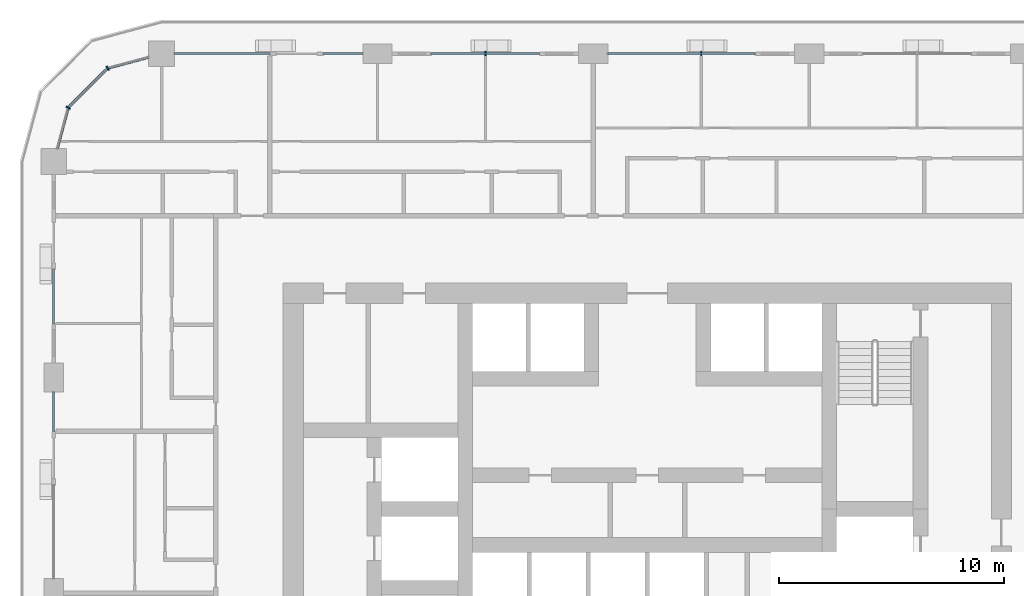
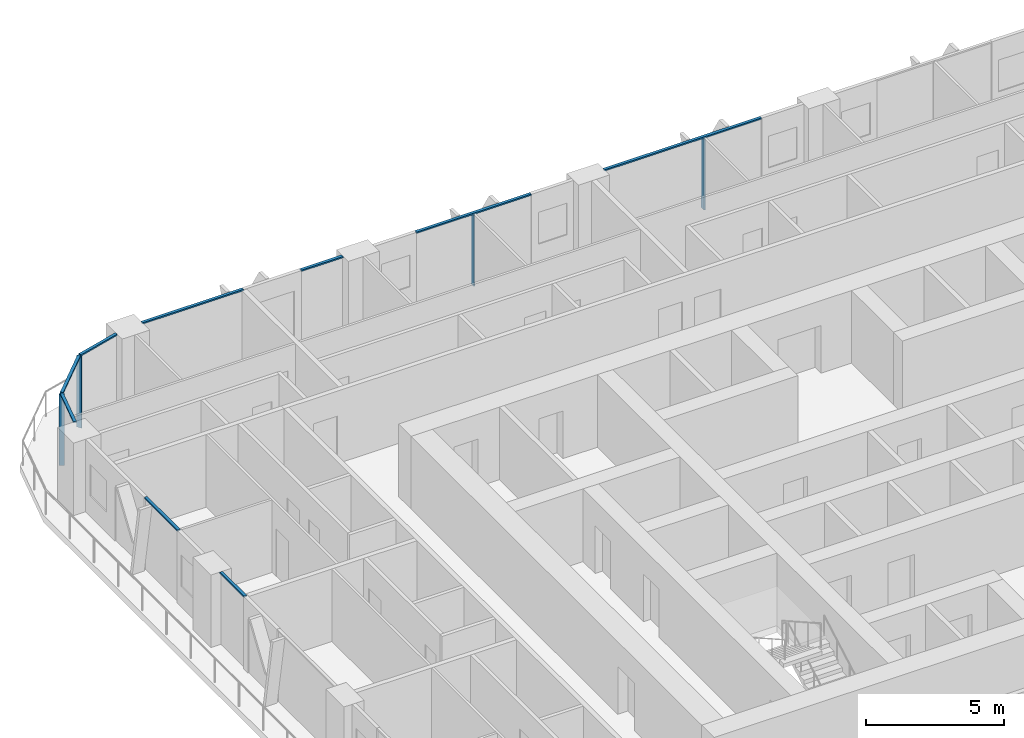
# One storey, part 5 of 22: 13 members, 6 elements without a shape of their own.
"""IFC4 building model written with IfcOpenShell, lengths in metres."""

from ifc_helpers import new_model, si_unit, direction, frame, origin, origin_2d, place, context, subcontext, project, spatial, rectangle, extrude, material, layer, layer_set, material_profile, profile_set, type_object, element, aggregate, save


model = new_model("IFC4")

# Units and contexts
model_context = context("Model", 3, precision=1e-05, world=origin(), true_north=direction((0.0, 1.0)))
body_context = subcontext(model_context, "Body", "Model", "MODEL_VIEW")
ifc_project = project(units=[si_unit("LENGTHUNIT", "METRE"), si_unit("AREAUNIT", "SQUARE_METRE"), si_unit("VOLUMEUNIT", "CUBIC_METRE"), si_unit("PLANEANGLEUNIT", "RADIAN"), si_unit("MASSUNIT", "GRAM", prefix="KILO")], contexts=[model_context])

# Site, building, storey
site_placement = place(None, origin())
site = spatial("IfcSite", under=ifc_project, at=site_placement, CompositionType="ELEMENT")
building_placement = place(site_placement, origin())
building = spatial("IfcBuilding", under=site, at=building_placement, Name="Madar Terraces", CompositionType="ELEMENT")
storey_placement = place(building_placement, frame((0.0, 0.0, 66.300048828125)))
storey = spatial("IfcBuildingStorey", under=building, at=storey_placement, Name="L16", CompositionType="ELEMENT", Elevation=66.300048828125)

# Curtain wall, member
ifc_material_1 = material(Name="Glass, ceramic frit dark grey, with black aluminium frame", Category="aluminium")
ifc_layer = layer(ifc_material_1, 0.199951171875)
ifc_layer_set = layer_set([ifc_layer], Name="Facade curtain wall, fritted glass")
curtain_wall_type = type_object("IfcCurtainWallType", Name="Facade curtain wall, fritted glass", PredefinedType="NOTDEFINED", material=ifc_layer_set)
curtain_wall_1_placement = place(storey_placement, origin())
curtain_wall_1 = element("IfcCurtainWall", 1, at=curtain_wall_1_placement, inside=storey, type_object=curtain_wall_type, Name="Outer skin curtain wall north bay 3", PredefinedType="NOTDEFINED")
ifc_material_2 = material(Name="Aluminium, black anodised", Category="aluminium")
ifc_material_profile_1 = material_profile(ifc_material_2, rectangle(XDim=0.199951171875, YDim=0.06005859375, at=origin_2d()), Name="Facade mullion 60x200")
ifc_profile_set_1 = profile_set([ifc_material_profile_1], Name="Aluminium, black anodised")
member_type_1 = type_object("IfcMemberType", Name="Facade mullion 60x200", PredefinedType="MULLION", material=ifc_profile_set_1)
member_1_placement = place(storey_placement, frame((33.60009765625, 48.0, 0.0), z_axis=(0.0, 0.0, 1.0), x_axis=(0.0, -1.0, 0.0)))
member_1 = element("IfcMember", 2, at=member_1_placement, type_object=member_type_1, Name="Mullion 1", PredefinedType="MULLION", context=body_context, shape_type="SweptSolid", body=[
    extrude(rectangle(XDim=0.199951171875, YDim=0.06005859375, at=origin_2d()), origin(), (0.0, 0.0, 1.0), 3.139892578125),
])

curtain_wall_2_placement = place(storey_placement, origin())
curtain_wall_2 = element("IfcCurtainWall", 3, at=curtain_wall_2_placement, inside=storey, type_object=curtain_wall_type, Name="Outer skin curtain wall north bay 4", PredefinedType="NOTDEFINED")
member_2_placement = place(storey_placement, frame((24.0, 48.0, 0.0), z_axis=(0.0, 0.0, 1.0), x_axis=(0.0, -1.0, 0.0)))
member_2 = element("IfcMember", 4, at=member_2_placement, type_object=member_type_1, Name="Mullion 1", PredefinedType="MULLION", context=body_context, shape_type="SweptSolid", body=[
    extrude(rectangle(XDim=0.199951171875, YDim=0.06005859375, at=origin_2d()), origin(), (0.0, 0.0, 1.0), 3.139892578125),
])

# Curtain wall, members
curtain_wall_3_placement = place(storey_placement, origin())
curtain_wall_3 = element("IfcCurtainWall", 5, at=curtain_wall_3_placement, inside=storey, type_object=curtain_wall_type, Name="Outer skin curtain wall north-west corner", PredefinedType="NOTDEFINED")
member_3_placement = place(storey_placement, frame((7.199951171875, 47.35693359375, 0.0), z_axis=(0.0, 0.0, 1.0), x_axis=(0.499999989586, -0.866025409797, 0.0)))
member_3 = element("IfcMember", 6, at=member_3_placement, type_object=member_type_1, Name="Mullion 1", PredefinedType="MULLION", context=body_context, shape_type="SweptSolid", body=[
    extrude(rectangle(XDim=0.199951171875, YDim=0.06005859375, at=origin_2d()), origin(), (0.0, 0.0, 1.0), 3.139892578125),
])
member_4_placement = place(storey_placement, frame((5.443115234375, 45.60009765625, 0.0), z_axis=(0.0, 0.0, 1.0), x_axis=(0.866025409797, -0.499999989586, 0.0)))
member_4 = element("IfcMember", 7, at=member_4_placement, type_object=member_type_1, Name="Mullion 2", PredefinedType="MULLION", context=body_context, shape_type="SweptSolid", body=[
    extrude(rectangle(XDim=0.199951171875, YDim=0.06005859375, at=origin_2d()), origin(), (0.0, 0.0, 1.0), 3.139892578125),
])

# Member
ifc_material_3 = material(Name="Aluminium, black anodised", Category="aluminium")
ifc_material_profile_2 = material_profile(ifc_material_3, rectangle(XDim=0.1201171875, YDim=0.06005859375, at=origin_2d()), Name="Facade transom 60x120")
ifc_profile_set_2 = profile_set([ifc_material_profile_2], Name="Aluminium, black anodised")
member_type_2 = type_object("IfcMemberType", Name="Facade transom 60x120", PredefinedType="USERDEFINED", material=ifc_profile_set_2)
member_5_placement = place(storey_placement, frame((36.0, 48.0, 3.169921875), z_axis=(-1.0, 0.0, 0.0), x_axis=(0.0, -1.0, 0.0)))
member_5 = element("IfcMember", 8, at=member_5_placement, type_object=member_type_2, Name="Transom 1", ObjectType="TRANSOM", PredefinedType="USERDEFINED", context=body_context, shape_type="SweptSolid", body=[
    extrude(rectangle(XDim=0.1201171875, YDim=0.06005859375, at=origin_2d()), origin(), (0.0, 0.0, 1.0), 6.550048828125),
])

aggregate(curtain_wall_1, [member_1, member_5])

member_6_placement = place(storey_placement, frame((26.39990234375, 48.0, 3.169921875), z_axis=(-1.0, 0.0, 0.0), x_axis=(0.0, -1.0, 0.0)))
member_6 = element("IfcMember", 9, at=member_6_placement, type_object=member_type_2, Name="Transom 1", ObjectType="TRANSOM", PredefinedType="USERDEFINED", context=body_context, shape_type="SweptSolid", body=[
    extrude(rectangle(XDim=0.1201171875, YDim=0.06005859375, at=origin_2d()), origin(), (0.0, 0.0, 1.0), 4.7998046875),
])

aggregate(curtain_wall_2, [member_2, member_6])

# Curtain wall, members
curtain_wall_4_placement = place(storey_placement, origin())
curtain_wall_4 = element("IfcCurtainWall", 10, at=curtain_wall_4_placement, inside=storey, type_object=curtain_wall_type, Name="Outer skin curtain wall north bay 5", PredefinedType="NOTDEFINED")
member_7_placement = place(storey_placement, frame((18.550048828125, 48.0, 3.169921875), z_axis=(-1.0, 0.0, 0.0), x_axis=(0.0, -1.0, 0.0)))
member_7 = element("IfcMember", 11, at=member_7_placement, type_object=member_type_2, Name="Transom 1", ObjectType="TRANSOM", PredefinedType="USERDEFINED", context=body_context, shape_type="SweptSolid", body=[
    extrude(rectangle(XDim=0.1201171875, YDim=0.06005859375, at=origin_2d()), origin(), (0.0, 0.0, 1.0), 1.75),
])
member_8_placement = place(storey_placement, frame((14.39990234375, 48.0, 3.169921875), z_axis=(-1.0, 0.0, 0.0), x_axis=(0.0, -1.0, 0.0)))
member_8 = element("IfcMember", 12, at=member_8_placement, type_object=member_type_2, Name="Transom 2", ObjectType="TRANSOM", PredefinedType="USERDEFINED", context=body_context, shape_type="SweptSolid", body=[
    extrude(rectangle(XDim=0.1201171875, YDim=0.06005859375, at=origin_2d()), origin(), (0.0, 0.0, 1.0), 4.224853515625),
])
aggregate(curtain_wall_4, [member_7, member_8])

# Curtain wall, member
curtain_wall_5_placement = place(storey_placement, origin())
curtain_wall_5 = element("IfcCurtainWall", 13, at=curtain_wall_5_placement, inside=storey, type_object=curtain_wall_type, Name="Outer skin curtain wall west bay 1", PredefinedType="NOTDEFINED")
member_9_placement = place(storey_placement, frame((4.800048828125, 38.39990234375, 3.169921875), z_axis=(0.0, -1.0, 0.0), x_axis=(1.0, 0.0, 0.0)))
member_9 = element("IfcMember", 14, at=member_9_placement, type_object=member_type_2, Name="Transom 1", ObjectType="TRANSOM", PredefinedType="USERDEFINED", context=body_context, shape_type="SweptSolid", body=[
    extrude(rectangle(XDim=0.1201171875, YDim=0.06005859375, at=origin_2d()), origin(), (0.0, 0.0, 1.0), 2.39990234375),
])
aggregate(curtain_wall_5, [member_9])

curtain_wall_6_placement = place(storey_placement, origin())
curtain_wall_6 = element("IfcCurtainWall", 15, at=curtain_wall_6_placement, inside=storey, type_object=curtain_wall_type, Name="Outer skin curtain wall west bay 2", PredefinedType="NOTDEFINED")
member_10_placement = place(storey_placement, frame((4.800048828125, 32.949951171875, 3.169921875), z_axis=(0.0, -1.0, 0.0), x_axis=(1.0, 0.0, 0.0)))
member_10 = element("IfcMember", 16, at=member_10_placement, type_object=member_type_2, Name="Transom 1", ObjectType="TRANSOM", PredefinedType="USERDEFINED", context=body_context, shape_type="SweptSolid", body=[
    extrude(rectangle(XDim=0.1201171875, YDim=0.06005859375, at=origin_2d()), origin(), (0.0, 0.0, 1.0), 1.75),
])
aggregate(curtain_wall_6, [member_10])

# Member
member_11_placement = place(storey_placement, frame((9.02490234375, 47.845947265625, 3.169921875), z_axis=(-0.965926950947, -0.258814847786, 0.0), x_axis=(0.258814847786, -0.965926950947, 0.0)))
member_11 = element("IfcMember", 17, at=member_11_placement, type_object=member_type_2, Name="Transom 1", ObjectType="TRANSOM", PredefinedType="USERDEFINED", context=body_context, shape_type="SweptSolid", body=[
    extrude(rectangle(XDim=0.1201171875, YDim=0.06005859375, at=origin_2d()), origin(), (0.0, 0.0, 1.0), 1.859130859375),
])

member_12_placement = place(storey_placement, frame((7.1787109375, 47.335693359375, 3.169921875), z_axis=(-0.707056433593, -0.707157125196, 0.0), x_axis=(0.707157125196, -0.707056433593, 0.0)))
member_12 = element("IfcMember", 18, at=member_12_placement, type_object=member_type_2, Name="Transom 2", ObjectType="TRANSOM", PredefinedType="USERDEFINED", context=body_context, shape_type="SweptSolid", body=[
    extrude(rectangle(XDim=0.1201171875, YDim=0.06005859375, at=origin_2d()), origin(), (0.0, 0.0, 1.0), 2.424560546875),
])

member_13_placement = place(storey_placement, frame((5.435302734375, 45.571044921875, 3.169921875), z_axis=(-0.258782024434, -0.965935745187, 0.0), x_axis=(0.965935745187, -0.258782024434, 0.0)))
member_13 = element("IfcMember", 19, at=member_13_placement, type_object=member_type_2, Name="Transom 3", ObjectType="TRANSOM", PredefinedType="USERDEFINED", context=body_context, shape_type="SweptSolid", body=[
    extrude(rectangle(XDim=0.1201171875, YDim=0.06005859375, at=origin_2d()), origin(), (0.0, 0.0, 1.0), 1.859375),
])

aggregate(curtain_wall_3, [member_3, member_11, member_4, member_12, member_13])

save(model, "model.ifc")
